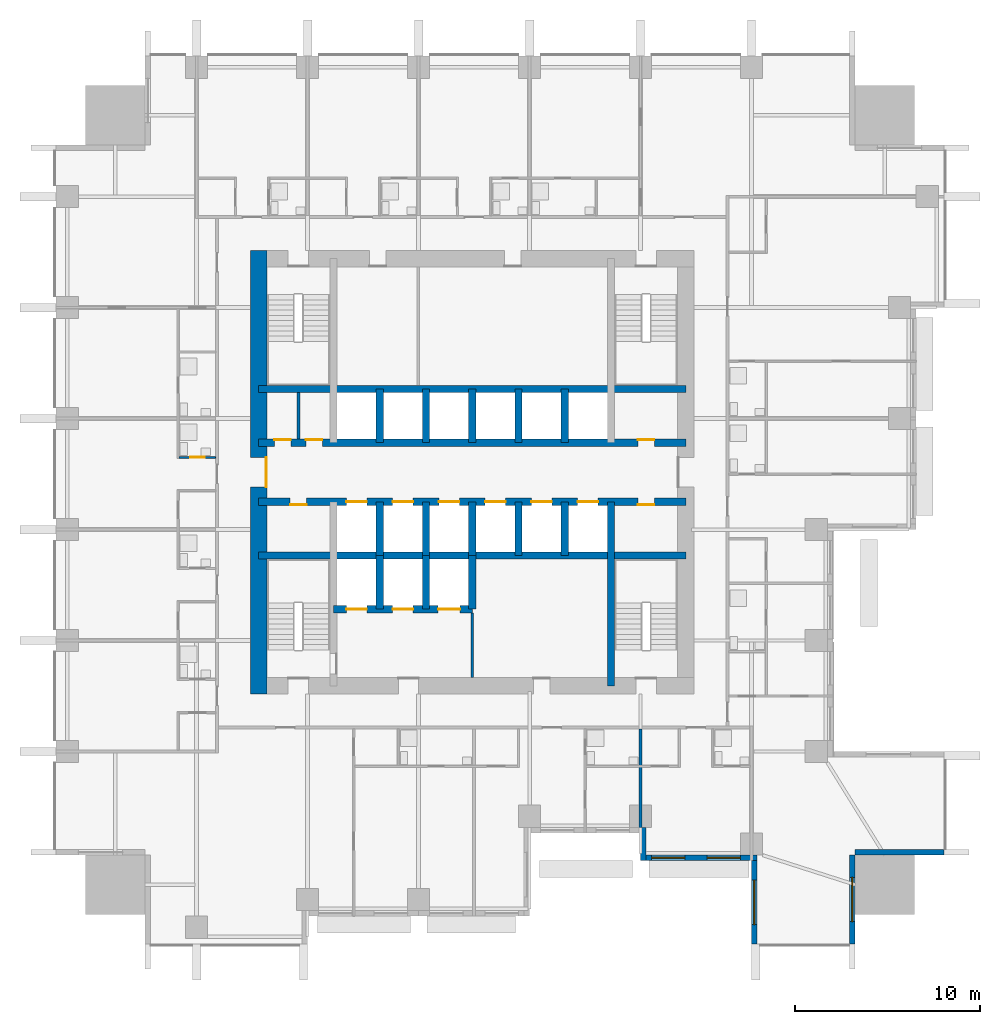
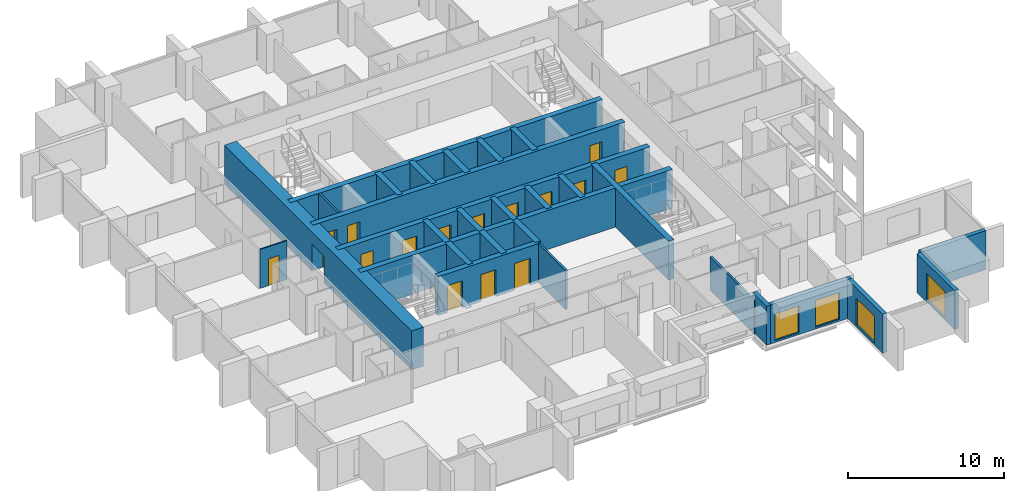
# One storey, part 5 of 10: 29 walls, 16 doors, 4 windows, 20 openings.
"""IFC4 building model written with IfcOpenShell, lengths in metres."""

import ifcopenshell
import ifcopenshell.guid

model = None  # the IFC model being written
_history = None  # IfcOwnerHistory: only IFC2X3 demands one
_inside = {}  # id of a spatial element -> (the spatial element, [elements in it])
_under = {}  # id of a project, library or spatial element -> (it, [spatial elements below it])
_declared = {}  # id of a project -> (the project, [libraries it declares])
_typed = {}  # id of a type object -> (the type object, [elements of that type])
_made_of = {}  # id of a material, layer set ... -> (it, [elements and type objects made of it])


def new_model(schema):
    """Start an empty IFC model of exactly this schema.

    Asked for "IFC4X3", IfcOpenShell would pick the latest addendum, in which some entities
    have other attributes; the version numbers below select the first issue.
    IFC2X3 requires an IfcOwnerHistory on every rooted entity: one is made here for all.
    """
    global model, _history
    if schema == "IFC4X3":
        model = ifcopenshell.file(schema_version=(4, 3, 0, 0))
    else:
        model = ifcopenshell.file(schema=schema)
    _inside.clear()
    _under.clear()
    _declared.clear()
    _typed.clear()
    _made_of.clear()
    _history = None
    if model.schema == "IFC2X3":
        org = make("IfcOrganization", Name="unknown")
        user = make(
            "IfcPersonAndOrganization",
            ThePerson=make("IfcPerson", FamilyName="unknown"),
            TheOrganization=org,
        )
        app = make(
            "IfcApplication",
            ApplicationDeveloper=org,
            Version="unknown",
            ApplicationFullName="unknown",
            ApplicationIdentifier="unknown",
        )
        _history = make(
            "IfcOwnerHistory",
            OwningUser=user,
            OwningApplication=app,
            ChangeAction="ADDED",
            CreationDate=0,
        )
    return model


def make(cls, **values):
    """One entity of the class cls with the attributes given. An attribute that is None is left unset."""
    return model.create_entity(
        cls, **{name: value for name, value in values.items() if value is not None}
    )


def rooted(cls, **values):
    """An entity with a GlobalId (a new one), such as an element, a storey or a relation."""
    return make(cls, GlobalId=ifcopenshell.guid.new(), OwnerHistory=_history, **values)


def si_unit(unit_type, name, prefix=None):
    """IfcSIUnit, for example si_unit("LENGTHUNIT", "METRE", prefix="MILLI")."""
    return make("IfcSIUnit", UnitType=unit_type, Prefix=prefix, Name=name)


def assignment(units):
    """IfcUnitAssignment: the units of a project."""
    return None if units is None else make("IfcUnitAssignment", Units=units)


def point(xyz):
    """IfcCartesianPoint."""
    return None if xyz is None else make("IfcCartesianPoint", Coordinates=xyz)


def direction(xyz):
    """IfcDirection."""
    return None if xyz is None else make("IfcDirection", DirectionRatios=xyz)


def frame(location, z_axis=None, x_axis=None):
    """IfcAxis2Placement3D, a coordinate frame: its origin and axes. An axis left out is left unset."""
    return make(
        "IfcAxis2Placement3D",
        Location=point(location),
        Axis=direction(z_axis),
        RefDirection=direction(x_axis),
    )


def frame_2d(location, x_axis=None):
    """IfcAxis2Placement2D, a coordinate frame in the plane: its origin and x axis."""
    return make(
        "IfcAxis2Placement2D", Location=point(location), RefDirection=direction(x_axis)
    )


def origin():
    """The frame at (0, 0, 0) with its axes left unset."""
    return frame((0.0, 0.0, 0.0))


def place(relative_to, where):
    """IfcLocalPlacement: puts the frame where relative to a parent placement (None: the world)."""
    return make(
        "IfcLocalPlacement", PlacementRelTo=relative_to, RelativePlacement=where
    )


def context(
    kind, dimensions, precision=None, world=None, true_north=None, identifier=None
):
    """IfcGeometricRepresentationContext, for example the 3D "Model" context."""
    return make(
        "IfcGeometricRepresentationContext",
        ContextIdentifier=identifier,
        ContextType=kind,
        CoordinateSpaceDimension=dimensions,
        Precision=precision,
        WorldCoordinateSystem=world,
        TrueNorth=true_north,
    )


def subcontext(parent, identifier, kind, view, scale=None):
    """IfcGeometricRepresentationSubContext, for example "Body" below "Model"."""
    return make(
        "IfcGeometricRepresentationSubContext",
        ContextIdentifier=identifier,
        ContextType=kind,
        ParentContext=parent,
        TargetScale=scale,
        TargetView=view,
    )


def project(units=None, contexts=None):
    """IfcProject with its units and contexts."""
    return rooted(
        "IfcProject",
        Name="project",
        RepresentationContexts=contexts,
        UnitsInContext=assignment(units),
    )


def spatial(cls, under=None, at=None, **own):
    """A site, building, storey or space (cls), placed at a placement, below another one or the project."""
    s = rooted(cls, ObjectPlacement=at, **own)
    if under is not None:
        _under.setdefault(under.id(), (under, []))[1].append(s)
    return s


def profile(cls, at=None, kind="AREA", **sizes):
    """A parametric profile (cls). Its sizes go by their IFC names, for example OverallWidth=200.0."""
    return make(cls, ProfileType=kind, Position=at, **sizes)


def rectangle(**sizes):
    """IfcRectangleProfileDef."""
    return profile("IfcRectangleProfileDef", **sizes)


def extrude(swept, where, along, depth):
    """IfcExtrudedAreaSolid: the profile swept, set in the frame where, extruded along a direction by depth."""
    return make(
        "IfcExtrudedAreaSolid",
        SweptArea=swept,
        Position=where,
        ExtrudedDirection=direction(along),
        Depth=depth,
    )


def shape(context_of_items, identifier, shape_type, items):
    """IfcShapeRepresentation: the items that make up one representation, for example the "Body"."""
    return make(
        "IfcShapeRepresentation",
        ContextOfItems=context_of_items,
        RepresentationIdentifier=identifier,
        RepresentationType=shape_type,
        Items=items,
    )


def material(Name=None, Category=None):
    """IfcMaterial."""
    return make("IfcMaterial", Name=Name, Category=Category)


def layer(
    of_material, thickness, ventilated=None, Name=None, Category=None, Priority=None
):
    """IfcMaterialLayer: one layer of a wall or slab, of a material (None: an air gap)."""
    return make(
        "IfcMaterialLayer",
        Material=of_material,
        LayerThickness=thickness,
        IsVentilated=ventilated,
        Name=Name,
        Category=Category,
        Priority=Priority,
    )


def layer_set(layers, Name=None):
    """IfcMaterialLayerSet."""
    return make("IfcMaterialLayerSet", MaterialLayers=layers, LayerSetName=Name)


def made_of(thing, what):
    """Note that an element or type object is made of a material, layer set ...; save() writes the relation."""
    if what is not None:
        _made_of.setdefault(what.id(), (what, []))[1].append(thing)
    return thing


def type_object(cls, material=None, **own):
    """A type object (cls), such as IfcWallType, which elements share."""
    return made_of(rooted(cls, **own), material)


def element(
    cls,
    number,
    at=None,
    inside=None,
    cuts=None,
    type_object=None,
    material=None,
    context=None,
    identifier="Body",
    shape_type=None,
    held_by="IfcProductDefinitionShape",
    body=None,
    shapes=None,
    **own,
):
    """One element of the class cls, such as IfcWall. Its Tag is "e" and its number.

    at: its placement. inside: the storey or other place that contains it. cuts: it is an
    opening in that element (IfcRelVoidsElement). A single representation is given by context,
    identifier, shape_type and body (its items); several are given by shapes. held_by: the class
    of the entity that holds the representations. save() writes the other relations.
    """
    e = rooted(cls, Tag="e%d" % number, ObjectPlacement=at, **own)
    if body is not None:
        shapes = [shape(context, identifier, shape_type, body)]
    if shapes is not None:
        e.Representation = make(held_by, Representations=shapes)
    if inside is not None:
        _inside.setdefault(inside.id(), (inside, []))[1].append(e)
    if cuts is not None:
        rooted(
            "IfcRelVoidsElement", RelatingBuildingElement=cuts, RelatedOpeningElement=e
        )
    if type_object is not None:
        _typed.setdefault(type_object.id(), (type_object, []))[1].append(e)
    return made_of(e, material)


def fill(opening, filler):
    """IfcRelFillsElement: the door or window that sits in an opening."""
    return rooted(
        "IfcRelFillsElement",
        RelatingOpeningElement=opening,
        RelatedBuildingElement=filler,
    )


def aggregate(whole, parts):
    """IfcRelAggregates: a whole, such as a stair, and the parts it consists of."""
    return rooted("IfcRelAggregates", RelatingObject=whole, RelatedObjects=parts)


def save(model, path):
    """Write the relations noted so far, then the file.

    IfcRelAggregates (storeys below a building ...), IfcRelContainedInSpatialStructure (elements
    in a storey), IfcRelDefinesByType, IfcRelAssociatesMaterial and IfcRelDeclares: one each for
    every whole, place, type object, material and project.
    """
    for whole, parts in _under.values():
        aggregate(whole, parts)
    for where, things in _inside.values():
        rooted(
            "IfcRelContainedInSpatialStructure",
            RelatedElements=things,
            RelatingStructure=where,
        )
    for kind, things in _typed.values():
        rooted("IfcRelDefinesByType", RelatedObjects=things, RelatingType=kind)
    for what, things in _made_of.values():
        rooted("IfcRelAssociatesMaterial", RelatedObjects=things, RelatingMaterial=what)
    for by, libraries in _declared.values():
        rooted("IfcRelDeclares", RelatingContext=by, RelatedDefinitions=libraries)
    model.write(path)


model = new_model("IFC4")

# Units and contexts
model_context = context("Model", 3, precision=1e-05, world=origin(), true_north=direction((0.0, 1.0)))
body_context = subcontext(model_context, "Body", "Model", "MODEL_VIEW")
ifc_project = project(units=[si_unit("LENGTHUNIT", "METRE"), si_unit("AREAUNIT", "SQUARE_METRE"), si_unit("VOLUMEUNIT", "CUBIC_METRE"), si_unit("PLANEANGLEUNIT", "RADIAN"), si_unit("MASSUNIT", "GRAM", prefix="KILO")], contexts=[model_context])

# Site, building, storey
site_placement = place(None, origin())
site = spatial("IfcSite", under=ifc_project, at=site_placement, CompositionType="ELEMENT")
building_placement = place(site_placement, origin())
building = spatial("IfcBuilding", under=site, at=building_placement, Name="Amberfall Residences", CompositionType="ELEMENT")
storey_placement = place(building_placement, frame((0.0, 0.0, 30.10009765625)))
storey = spatial("IfcBuildingStorey", under=building, at=storey_placement, Name="L07", CompositionType="ELEMENT", Elevation=30.10009765625)

# Wall
ifc_material_1 = material(Name="Pale stone cladding on insulated backing", Category="masonry")
ifc_layer_1 = layer(ifc_material_1, 0.300048828125)
ifc_layer_set_1 = layer_set([ifc_layer_1], Name="Bronze clad wall 300")
wall_type_1 = type_object("IfcWallType", Name="Bronze clad wall 300", PredefinedType="SOLIDWALL", material=ifc_layer_set_1)
wall_1_placement = place(storey_placement, frame((83.75, 26.300048828125, 0.0), z_axis=(0.0, 0.0, 1.0), x_axis=(0.0, -1.0, 0.0)))
element("IfcWall", 1, at=wall_1_placement, inside=storey, type_object=wall_type_1, Name="External wall L07 S", PredefinedType="SOLIDWALL", context=body_context, shape_type="SweptSolid", body=[
    extrude(rectangle(XDim=1.800048828125, YDim=0.300048828125, at=frame_2d((0.89990234375, 0.0))), origin(), (0.0, 0.0, 1.0), 3.0498046875),
])

# Wall, opening, window
wall_2_placement = place(storey_placement, frame((89.75, 24.5, 0.0), z_axis=(0.0, 0.0, 1.0), x_axis=(0.0, -1.0, 0.0)))
wall_2 = element("IfcWall", 2, at=wall_2_placement, inside=storey, type_object=wall_type_1, Name="External wall L07 S", PredefinedType="SOLIDWALL", context=body_context, shape_type="SweptSolid", body=[
    extrude(rectangle(XDim=4.5, YDim=0.300048828125, at=frame_2d((2.25, 0.0))), origin(), (0.0, 0.0, 1.0), 3.0498046875),
])
opening_1_placement = place(wall_2_placement, frame((1.050048828125, 0.0, 0.14990234375)))
opening_1 = element("IfcOpeningElement", 3, at=opening_1_placement, cuts=wall_2, Name="Opening WN5", PredefinedType="OPENING", context=body_context, shape_type="SweptSolid", body=[
    extrude(rectangle(XDim=2.39990234375, YDim=2.10009765625, at=frame_2d((1.199951171875, 1.050048828125))), frame((0.0, 0.159912109375, 0.0), z_axis=(0.0, -1.0, 0.0), x_axis=(1.0, 0.0, 0.0)), (0.0, 0.0, 1.0), 0.320068359375),
])
ifc_material_2 = material(Name="Bronze aluminium framed glazing", Category="aluminium")
window_type_1 = type_object("IfcWindowType", Name="Glazed opening 2400 x 2100 bronze", PartitioningType="DOUBLE_PANEL_VERTICAL", PredefinedType="WINDOW", material=ifc_material_2)
window_1_placement = place(opening_1_placement, origin())
window_1 = element("IfcWindow", 4, at=window_1_placement, inside=storey, type_object=window_type_1, Name="Window L07 S", OverallHeight=2.10009765625, OverallWidth=2.39990234375, PartitioningType="DOUBLE_PANEL_VERTICAL", PredefinedType="WINDOW", context=body_context, shape_type="SweptSolid", body=[
    extrude(rectangle(XDim=2.39990234375, YDim=2.10009765625, at=frame_2d((1.199951171875, 1.050048828125))), frame((0.0, 0.030029296875, 0.0), z_axis=(0.0, -1.0, 0.0), x_axis=(1.0, 0.0, 0.0)), (0.0, 0.0, 1.0), 0.06005859375),
])
fill(opening_1, window_1)

wall_3_placement = place(storey_placement, frame((95.050048828125, 20.0, 0.0), z_axis=(0.0, 0.0, 1.0), x_axis=(0.0, 1.0, 0.0)))
wall_3 = element("IfcWall", 5, at=wall_3_placement, inside=storey, type_object=wall_type_1, Name="External wall L07 SE", PredefinedType="SOLIDWALL", context=body_context, shape_type="SweptSolid", body=[
    extrude(rectangle(XDim=4.800048828125, YDim=0.300048828125, at=frame_2d((2.39990234375, 0.0))), origin(), (0.0, 0.0, 1.0), 3.0498046875),
])
opening_2_placement = place(wall_3_placement, frame((1.199951171875, 0.0, 0.14990234375)))
opening_2 = element("IfcOpeningElement", 6, at=opening_2_placement, cuts=wall_3, Name="Opening WN5", PredefinedType="OPENING", context=body_context, shape_type="SweptSolid", body=[
    extrude(rectangle(XDim=2.39990234375, YDim=2.10009765625, at=frame_2d((1.199951171875, 1.050048828125))), frame((0.0, 0.159912109375, 0.0), z_axis=(0.0, -1.0, 0.0), x_axis=(1.0, 0.0, 0.0)), (0.0, 0.0, 1.0), 0.320068359375),
])
window_2_placement = place(opening_2_placement, origin())
window_2 = element("IfcWindow", 7, at=window_2_placement, inside=storey, type_object=window_type_1, Name="Window L07 SE", OverallHeight=2.10009765625, OverallWidth=2.39990234375, PartitioningType="DOUBLE_PANEL_VERTICAL", PredefinedType="WINDOW", context=body_context, shape_type="SweptSolid", body=[
    extrude(rectangle(XDim=2.39990234375, YDim=2.10009765625, at=frame_2d((1.199951171875, 1.050048828125))), frame((0.0, 0.030029296875, 0.0), z_axis=(0.0, -1.0, 0.0), x_axis=(1.0, 0.0, 0.0)), (0.0, 0.0, 1.0), 0.06005859375),
])
fill(opening_2, window_2)

# Wall
wall_4_placement = place(storey_placement, frame((95.199951171875, 24.949951171875, 0.0), z_axis=(0.0, 0.0, 1.0), x_axis=(1.0, 0.0, 0.0)))
element("IfcWall", 8, at=wall_4_placement, inside=storey, type_object=wall_type_1, Name="External wall L07 SE", PredefinedType="SOLIDWALL", context=body_context, shape_type="SweptSolid", body=[
    extrude(rectangle(XDim=4.800048828125, YDim=0.300048828125, at=frame_2d((2.39990234375, 0.0))), origin(), (0.0, 0.0, 1.0), 3.0498046875),
])

# Wall, openings, windows
wall_5_placement = place(storey_placement, frame((83.89990234375, 24.64990234375, 0.0), z_axis=(0.0, 0.0, 1.0), x_axis=(1.0, 0.0, 0.0)))
wall_5 = element("IfcWall", 9, at=wall_5_placement, inside=storey, type_object=wall_type_1, Name="Stone wall L07 S", PredefinedType="SOLIDWALL", context=body_context, shape_type="SweptSolid", body=[
    extrude(rectangle(XDim=6.0, YDim=0.300048828125, at=frame_2d((3.0, 0.0))), origin(), (0.0, 0.0, 1.0), 3.0498046875),
])
opening_3_placement = place(wall_5_placement, frame((0.300048828125, 0.0, 0.14990234375)))
opening_3 = element("IfcOpeningElement", 10, at=opening_3_placement, cuts=wall_5, Name="Opening WN6", PredefinedType="OPENING", context=body_context, shape_type="SweptSolid", body=[
    extrude(rectangle(XDim=1.800048828125, YDim=2.10009765625, at=frame_2d((0.89990234375, 1.050048828125))), frame((0.0, 0.159912109375, 0.0), z_axis=(0.0, -1.0, 0.0), x_axis=(1.0, 0.0, 0.0)), (0.0, 0.0, 1.0), 0.320068359375),
])
opening_4_placement = place(wall_5_placement, frame((3.300048828125, 0.0, 0.14990234375)))
opening_4 = element("IfcOpeningElement", 11, at=opening_4_placement, cuts=wall_5, Name="Opening WN6", PredefinedType="OPENING", context=body_context, shape_type="SweptSolid", body=[
    extrude(rectangle(XDim=1.800048828125, YDim=2.10009765625, at=frame_2d((0.89990234375, 1.050048828125))), frame((0.0, 0.159912109375, 0.0), z_axis=(0.0, -1.0, 0.0), x_axis=(1.0, 0.0, 0.0)), (0.0, 0.0, 1.0), 0.320068359375),
])
window_type_2 = type_object("IfcWindowType", Name="Glazed opening 1800 x 2100 bronze", PartitioningType="DOUBLE_PANEL_VERTICAL", PredefinedType="WINDOW", material=ifc_material_2)
window_3_placement = place(opening_3_placement, origin())
window_3 = element("IfcWindow", 12, at=window_3_placement, inside=storey, type_object=window_type_2, Name="Window L07 S", OverallHeight=2.10009765625, OverallWidth=1.800048828125, PartitioningType="DOUBLE_PANEL_VERTICAL", PredefinedType="WINDOW", context=body_context, shape_type="SweptSolid", body=[
    extrude(rectangle(XDim=1.800048828125, YDim=2.10009765625, at=frame_2d((0.89990234375, 1.050048828125))), frame((0.0, 0.030029296875, 0.0), z_axis=(0.0, -1.0, 0.0), x_axis=(1.0, 0.0, 0.0)), (0.0, 0.0, 1.0), 0.06005859375),
])
fill(opening_3, window_3)
window_4_placement = place(opening_4_placement, origin())
window_4 = element("IfcWindow", 13, at=window_4_placement, inside=storey, type_object=window_type_2, Name="Window L07 S", OverallHeight=2.10009765625, OverallWidth=1.800048828125, PartitioningType="DOUBLE_PANEL_VERTICAL", PredefinedType="WINDOW", context=body_context, shape_type="SweptSolid", body=[
    extrude(rectangle(XDim=1.800048828125, YDim=2.10009765625, at=frame_2d((0.89990234375, 1.050048828125))), frame((0.0, 0.030029296875, 0.0), z_axis=(0.0, -1.0, 0.0), x_axis=(1.0, 0.0, 0.0)), (0.0, 0.0, 1.0), 0.06005859375),
])
fill(opening_4, window_4)

# Wall
ifc_material_3 = material(Name="Concrete C80", Category="concrete")
ifc_layer_2 = layer(ifc_material_3, 0.39990234375)
ifc_layer_set_2 = layer_set([ifc_layer_2], Name="Core wall 400 C80")
wall_type_2 = type_object("IfcWallType", Name="Core wall 400 C80", PredefinedType="SHEAR", material=ifc_layer_set_2)
wall_6_placement = place(storey_placement, frame((62.949951171875, 41.0, 0.0), z_axis=(0.0, 0.0, 1.0), x_axis=(1.0, 0.0, 0.0)))
element("IfcWall", 14, at=wall_6_placement, inside=storey, type_object=wall_type_2, Name="Core wall RW2 L07 H75", PredefinedType="SHEAR", context=body_context, shape_type="SweptSolid", body=[
    extrude(rectangle(XDim=23.10009765625, YDim=0.39990234375, at=frame_2d((11.550048828125, 0.0))), origin(), (0.0, 0.0, 1.0), 3.0498046875),
])

# Wall, openings, doors
wall_7_placement = place(storey_placement, frame((62.949951171875, 43.89990234375, 0.0), z_axis=(0.0, 0.0, 1.0), x_axis=(1.0, 0.0, 0.0)))
wall_7 = element("IfcWall", 15, at=wall_7_placement, inside=storey, type_object=wall_type_2, Name="Core wall RW2 L07 H104", PredefinedType="SHEAR", context=body_context, shape_type="SweptSolid", body=[
    extrude(rectangle(XDim=23.10009765625, YDim=0.39990234375, at=frame_2d((11.550048828125, 0.0))), origin(), (0.0, 0.0, 1.0), 3.0498046875),
])
opening_5_placement = place(wall_7_placement, frame((1.699951171875, 0.0, 0.0)))
opening_5 = element("IfcOpeningElement", 16, at=opening_5_placement, cuts=wall_7, Name="Opening RD1", PredefinedType="OPENING", context=body_context, shape_type="SweptSolid", body=[
    extrude(rectangle(XDim=0.89990234375, YDim=2.10009765625, at=frame_2d((0.449951171875, 1.050048828125))), frame((0.0, 0.2099609375, 0.0), z_axis=(0.0, -1.0, 0.0), x_axis=(1.0, 0.0, 0.0)), (0.0, 0.0, 1.0), 0.419921875),
])
opening_6_placement = place(wall_7_placement, frame((20.5, 0.0, 0.0)))
opening_6 = element("IfcOpeningElement", 17, at=opening_6_placement, cuts=wall_7, Name="Opening RD1", PredefinedType="OPENING", context=body_context, shape_type="SweptSolid", body=[
    extrude(rectangle(XDim=0.89990234375, YDim=2.10009765625, at=frame_2d((0.449951171875, 1.050048828125))), frame((0.0, 0.2099609375, 0.0), z_axis=(0.0, -1.0, 0.0), x_axis=(1.0, 0.0, 0.0)), (0.0, 0.0, 1.0), 0.419921875),
])
opening_7_placement = place(wall_7_placement, frame((4.75, 0.0, 0.0)))
opening_7 = element("IfcOpeningElement", 18, at=opening_7_placement, cuts=wall_7, Name="Opening LD1", PredefinedType="OPENING", context=body_context, shape_type="SweptSolid", body=[
    extrude(rectangle(XDim=1.10009765625, YDim=2.10009765625, at=frame_2d((0.550048828125, 1.050048828125))), frame((0.0, 0.2099609375, 0.0), z_axis=(0.0, -1.0, 0.0), x_axis=(1.0, 0.0, 0.0)), (0.0, 0.0, 1.0), 0.419921875),
])
opening_8_placement = place(wall_7_placement, frame((7.25, 0.0, 0.0)))
opening_8 = element("IfcOpeningElement", 19, at=opening_8_placement, cuts=wall_7, Name="Opening LD1", PredefinedType="OPENING", context=body_context, shape_type="SweptSolid", body=[
    extrude(rectangle(XDim=1.10009765625, YDim=2.10009765625, at=frame_2d((0.550048828125, 1.050048828125))), frame((0.0, 0.2099609375, 0.0), z_axis=(0.0, -1.0, 0.0), x_axis=(1.0, 0.0, 0.0)), (0.0, 0.0, 1.0), 0.419921875),
])
opening_9_placement = place(wall_7_placement, frame((9.75, 0.0, 0.0)))
opening_9 = element("IfcOpeningElement", 20, at=opening_9_placement, cuts=wall_7, Name="Opening LD1", PredefinedType="OPENING", context=body_context, shape_type="SweptSolid", body=[
    extrude(rectangle(XDim=1.10009765625, YDim=2.10009765625, at=frame_2d((0.550048828125, 1.050048828125))), frame((0.0, 0.2099609375, 0.0), z_axis=(0.0, -1.0, 0.0), x_axis=(1.0, 0.0, 0.0)), (0.0, 0.0, 1.0), 0.419921875),
])
opening_10_placement = place(wall_7_placement, frame((12.25, 0.0, 0.0)))
opening_10 = element("IfcOpeningElement", 21, at=opening_10_placement, cuts=wall_7, Name="Opening LD1", PredefinedType="OPENING", context=body_context, shape_type="SweptSolid", body=[
    extrude(rectangle(XDim=1.10009765625, YDim=2.10009765625, at=frame_2d((0.550048828125, 1.050048828125))), frame((0.0, 0.2099609375, 0.0), z_axis=(0.0, -1.0, 0.0), x_axis=(1.0, 0.0, 0.0)), (0.0, 0.0, 1.0), 0.419921875),
])
opening_11_placement = place(wall_7_placement, frame((14.75, 0.0, 0.0)))
opening_11 = element("IfcOpeningElement", 22, at=opening_11_placement, cuts=wall_7, Name="Opening LD1", PredefinedType="OPENING", context=body_context, shape_type="SweptSolid", body=[
    extrude(rectangle(XDim=1.10009765625, YDim=2.10009765625, at=frame_2d((0.550048828125, 1.050048828125))), frame((0.0, 0.2099609375, 0.0), z_axis=(0.0, -1.0, 0.0), x_axis=(1.0, 0.0, 0.0)), (0.0, 0.0, 1.0), 0.419921875),
])
opening_12_placement = place(wall_7_placement, frame((17.25, 0.0, 0.0)))
opening_12 = element("IfcOpeningElement", 23, at=opening_12_placement, cuts=wall_7, Name="Opening LD1", PredefinedType="OPENING", context=body_context, shape_type="SweptSolid", body=[
    extrude(rectangle(XDim=1.10009765625, YDim=2.10009765625, at=frame_2d((0.550048828125, 1.050048828125))), frame((0.0, 0.2099609375, 0.0), z_axis=(0.0, -1.0, 0.0), x_axis=(1.0, 0.0, 0.0)), (0.0, 0.0, 1.0), 0.419921875),
])
ifc_material_4 = material(Name="Steel fire door set", Category="steel")
door_type_1 = type_object("IfcDoorType", Name="Lift landing door 1100 x 2100", OperationType="DOUBLE_DOOR_SLIDING", PredefinedType="DOOR", material=ifc_material_4)
door_1_placement = place(opening_7_placement, origin())
door_1 = element("IfcDoor", 24, at=door_1_placement, inside=storey, type_object=door_type_1, Name="Landing door LP1 L07", OperationType="DOUBLE_DOOR_SLIDING", OverallHeight=2.10009765625, OverallWidth=1.10009765625, PredefinedType="DOOR", context=body_context, shape_type="SweptSolid", body=[
    extrude(rectangle(XDim=1.10009765625, YDim=2.10009765625, at=frame_2d((0.550048828125, 1.050048828125))), frame((0.0, 0.02490234375, 0.0), z_axis=(0.0, -1.0, 0.0), x_axis=(1.0, 0.0, 0.0)), (0.0, 0.0, 1.0), 0.050048828125),
])
fill(opening_7, door_1)
door_2_placement = place(opening_8_placement, origin())
door_2 = element("IfcDoor", 25, at=door_2_placement, inside=storey, type_object=door_type_1, Name="Landing door LP2 L07", OperationType="DOUBLE_DOOR_SLIDING", OverallHeight=2.10009765625, OverallWidth=1.10009765625, PredefinedType="DOOR", context=body_context, shape_type="SweptSolid", body=[
    extrude(rectangle(XDim=1.10009765625, YDim=2.10009765625, at=frame_2d((0.550048828125, 1.050048828125))), frame((0.0, 0.02490234375, 0.0), z_axis=(0.0, -1.0, 0.0), x_axis=(1.0, 0.0, 0.0)), (0.0, 0.0, 1.0), 0.050048828125),
])
fill(opening_8, door_2)
door_3_placement = place(opening_9_placement, origin())
door_3 = element("IfcDoor", 26, at=door_3_placement, inside=storey, type_object=door_type_1, Name="Landing door LP3 L07", OperationType="DOUBLE_DOOR_SLIDING", OverallHeight=2.10009765625, OverallWidth=1.10009765625, PredefinedType="DOOR", context=body_context, shape_type="SweptSolid", body=[
    extrude(rectangle(XDim=1.10009765625, YDim=2.10009765625, at=frame_2d((0.550048828125, 1.050048828125))), frame((0.0, 0.02490234375, 0.0), z_axis=(0.0, -1.0, 0.0), x_axis=(1.0, 0.0, 0.0)), (0.0, 0.0, 1.0), 0.050048828125),
])
fill(opening_9, door_3)
door_4_placement = place(opening_10_placement, origin())
door_4 = element("IfcDoor", 27, at=door_4_placement, inside=storey, type_object=door_type_1, Name="Landing door LP4 L07", OperationType="DOUBLE_DOOR_SLIDING", OverallHeight=2.10009765625, OverallWidth=1.10009765625, PredefinedType="DOOR", context=body_context, shape_type="SweptSolid", body=[
    extrude(rectangle(XDim=1.10009765625, YDim=2.10009765625, at=frame_2d((0.550048828125, 1.050048828125))), frame((0.0, 0.02490234375, 0.0), z_axis=(0.0, -1.0, 0.0), x_axis=(1.0, 0.0, 0.0)), (0.0, 0.0, 1.0), 0.050048828125),
])
fill(opening_10, door_4)
door_5_placement = place(opening_11_placement, origin())
door_5 = element("IfcDoor", 28, at=door_5_placement, inside=storey, type_object=door_type_1, Name="Landing door LP5 L07", OperationType="DOUBLE_DOOR_SLIDING", OverallHeight=2.10009765625, OverallWidth=1.10009765625, PredefinedType="DOOR", context=body_context, shape_type="SweptSolid", body=[
    extrude(rectangle(XDim=1.10009765625, YDim=2.10009765625, at=frame_2d((0.550048828125, 1.050048828125))), frame((0.0, 0.02490234375, 0.0), z_axis=(0.0, -1.0, 0.0), x_axis=(1.0, 0.0, 0.0)), (0.0, 0.0, 1.0), 0.050048828125),
])
fill(opening_11, door_5)
door_6_placement = place(opening_12_placement, origin())
door_6 = element("IfcDoor", 29, at=door_6_placement, inside=storey, type_object=door_type_1, Name="Landing door LP6 L07", OperationType="DOUBLE_DOOR_SLIDING", OverallHeight=2.10009765625, OverallWidth=1.10009765625, PredefinedType="DOOR", context=body_context, shape_type="SweptSolid", body=[
    extrude(rectangle(XDim=1.10009765625, YDim=2.10009765625, at=frame_2d((0.550048828125, 1.050048828125))), frame((0.0, 0.02490234375, 0.0), z_axis=(0.0, -1.0, 0.0), x_axis=(1.0, 0.0, 0.0)), (0.0, 0.0, 1.0), 0.050048828125),
])
fill(opening_12, door_6)
door_type_2 = type_object("IfcDoorType", Name="Service room door 900 x 2100", OperationType="SINGLE_SWING_LEFT", PredefinedType="DOOR", material=ifc_material_4)
door_7_placement = place(opening_5_placement, origin())
door_7 = element("IfcDoor", 30, at=door_7_placement, inside=storey, type_object=door_type_2, Name="RD1 L07", OperationType="SINGLE_SWING_LEFT", OverallHeight=2.10009765625, OverallWidth=0.89990234375, PredefinedType="DOOR", context=body_context, shape_type="SweptSolid", body=[
    extrude(rectangle(XDim=0.89990234375, YDim=2.10009765625, at=frame_2d((0.449951171875, 1.050048828125))), frame((0.0, -0.1376953125, 0.0), z_axis=(0.0, -1.0, 0.0), x_axis=(1.0, 0.0, 0.0)), (0.0, 0.0, 1.0), 0.050048828125),
])
fill(opening_5, door_7)
door_8_placement = place(opening_6_placement, origin())
door_8 = element("IfcDoor", 31, at=door_8_placement, inside=storey, type_object=door_type_2, Name="RD1 L07", OperationType="SINGLE_SWING_LEFT", OverallHeight=2.10009765625, OverallWidth=0.89990234375, PredefinedType="DOOR", context=body_context, shape_type="SweptSolid", body=[
    extrude(rectangle(XDim=0.89990234375, YDim=2.10009765625, at=frame_2d((0.449951171875, 1.050048828125))), frame((0.0, -0.1376953125, 0.0), z_axis=(0.0, -1.0, 0.0), x_axis=(1.0, 0.0, 0.0)), (0.0, 0.0, 1.0), 0.050048828125),
])
fill(opening_6, door_8)

wall_8_placement = place(storey_placement, frame((62.949951171875, 47.10009765625, 0.0), z_axis=(0.0, 0.0, 1.0), x_axis=(1.0, 0.0, 0.0)))
wall_8 = element("IfcWall", 32, at=wall_8_placement, inside=storey, type_object=wall_type_2, Name="Core wall RW2 L07 H136", PredefinedType="SHEAR", context=body_context, shape_type="SweptSolid", body=[
    extrude(rectangle(XDim=23.10009765625, YDim=0.39990234375, at=frame_2d((11.550048828125, 0.0))), origin(), (0.0, 0.0, 1.0), 3.0498046875),
])
opening_13_placement = place(wall_8_placement, frame((0.85009765625, 0.0, 0.0)))
opening_13 = element("IfcOpeningElement", 33, at=opening_13_placement, cuts=wall_8, Name="Opening RD1", PredefinedType="OPENING", context=body_context, shape_type="SweptSolid", body=[
    extrude(rectangle(XDim=0.89990234375, YDim=2.10009765625, at=frame_2d((0.449951171875, 1.050048828125))), frame((0.0, 0.2099609375, 0.0), z_axis=(0.0, -1.0, 0.0), x_axis=(1.0, 0.0, 0.0)), (0.0, 0.0, 1.0), 0.419921875),
])
opening_14_placement = place(wall_8_placement, frame((2.550048828125, 0.0, 0.0)))
opening_14 = element("IfcOpeningElement", 34, at=opening_14_placement, cuts=wall_8, Name="Opening RD1", PredefinedType="OPENING", context=body_context, shape_type="SweptSolid", body=[
    extrude(rectangle(XDim=0.89990234375, YDim=2.10009765625, at=frame_2d((0.449951171875, 1.050048828125))), frame((0.0, 0.2099609375, 0.0), z_axis=(0.0, -1.0, 0.0), x_axis=(1.0, 0.0, 0.0)), (0.0, 0.0, 1.0), 0.419921875),
])
opening_15_placement = place(wall_8_placement, frame((20.5, 0.0, 0.0)))
opening_15 = element("IfcOpeningElement", 35, at=opening_15_placement, cuts=wall_8, Name="Opening RD1", PredefinedType="OPENING", context=body_context, shape_type="SweptSolid", body=[
    extrude(rectangle(XDim=0.89990234375, YDim=2.10009765625, at=frame_2d((0.449951171875, 1.050048828125))), frame((0.0, 0.2099609375, 0.0), z_axis=(0.0, -1.0, 0.0), x_axis=(1.0, 0.0, 0.0)), (0.0, 0.0, 1.0), 0.419921875),
])
door_9_placement = place(opening_13_placement, origin())
door_9 = element("IfcDoor", 36, at=door_9_placement, inside=storey, type_object=door_type_2, Name="RD1 L07", OperationType="SINGLE_SWING_LEFT", OverallHeight=2.10009765625, OverallWidth=0.89990234375, PredefinedType="DOOR", context=body_context, shape_type="SweptSolid", body=[
    extrude(rectangle(XDim=0.89990234375, YDim=2.10009765625, at=frame_2d((0.449951171875, 1.050048828125))), frame((0.0, 0.1875, 0.0), z_axis=(0.0, -1.0, 0.0), x_axis=(1.0, 0.0, 0.0)), (0.0, 0.0, 1.0), 0.050048828125),
])
fill(opening_13, door_9)
door_10_placement = place(opening_14_placement, origin())
door_10 = element("IfcDoor", 37, at=door_10_placement, inside=storey, type_object=door_type_2, Name="RD1 L07", OperationType="SINGLE_SWING_RIGHT", OverallHeight=2.10009765625, OverallWidth=0.89990234375, PredefinedType="DOOR", context=body_context, shape_type="SweptSolid", body=[
    extrude(rectangle(XDim=0.89990234375, YDim=2.10009765625, at=frame_2d((0.449951171875, 1.050048828125))), frame((0.0, 0.1875, 0.0), z_axis=(0.0, -1.0, 0.0), x_axis=(1.0, 0.0, 0.0)), (0.0, 0.0, 1.0), 0.050048828125),
])
fill(opening_14, door_10)
door_11_placement = place(opening_15_placement, origin())
door_11 = element("IfcDoor", 38, at=door_11_placement, inside=storey, type_object=door_type_2, Name="RD1 L07", OperationType="SINGLE_SWING_LEFT", OverallHeight=2.10009765625, OverallWidth=0.89990234375, PredefinedType="DOOR", context=body_context, shape_type="SweptSolid", body=[
    extrude(rectangle(XDim=0.89990234375, YDim=2.10009765625, at=frame_2d((0.449951171875, 1.050048828125))), frame((0.0, 0.1875, 0.0), z_axis=(0.0, -1.0, 0.0), x_axis=(1.0, 0.0, 0.0)), (0.0, 0.0, 1.0), 0.050048828125),
])
fill(opening_15, door_11)

# Walls
wall_9_placement = place(storey_placement, frame((62.949951171875, 50.0, 0.0), z_axis=(0.0, 0.0, 1.0), x_axis=(1.0, 0.0, 0.0)))
element("IfcWall", 39, at=wall_9_placement, inside=storey, type_object=wall_type_2, Name="Core wall RW2 L07 H165", PredefinedType="SHEAR", context=body_context, shape_type="SweptSolid", body=[
    extrude(rectangle(XDim=23.10009765625, YDim=0.39990234375, at=frame_2d((11.550048828125, 0.0))), origin(), (0.0, 0.0, 1.0), 3.0498046875),
])
wall_10_placement = place(storey_placement, frame((82.0, 33.949951171875, 0.0), z_axis=(0.0, 0.0, 1.0), x_axis=(0.0, 1.0, 0.0)))
element("IfcWall", 40, at=wall_10_placement, inside=storey, type_object=wall_type_2, Name="Core wall RW2 L07 V195S", PredefinedType="SHEAR", context=body_context, shape_type="SweptSolid", body=[
    extrude(rectangle(XDim=9.949951171875, YDim=0.39990234375, at=frame_2d((4.97509765625, 0.0))), origin(), (0.0, 0.0, 1.0), 3.0498046875),
])
for number, where, z_axis, x_axis, name in (
    (41, (69.5, 41.0, 0.0), (0.0, 0.0, 1.0), (0.0, 1.0, 0.0), "Core wall RW2 L07 LPD1"),
    (42, (69.5, 47.10009765625, 0.0), (0.0, 0.0, 1.0), (0.0, 1.0, 0.0), "Core wall RW2 L07 HPD1"),
    (43, (72.0, 41.0, 0.0), (0.0, 0.0, 1.0), (0.0, 1.0, 0.0), "Core wall RW2 L07 LPD2"),
    (44, (72.0, 47.10009765625, 0.0), (0.0, 0.0, 1.0), (0.0, 1.0, 0.0), "Core wall RW2 L07 HPD2"),
    (45, (74.5, 41.0, 0.0), (0.0, 0.0, 1.0), (0.0, 1.0, 0.0), "Core wall RW2 L07 LPD3"),
    (46, (74.5, 47.10009765625, 0.0), (0.0, 0.0, 1.0), (0.0, 1.0, 0.0), "Core wall RW2 L07 HPD3"),
    (47, (77.0, 41.0, 0.0), (0.0, 0.0, 1.0), (0.0, 1.0, 0.0), "Core wall RW2 L07 LPD4"),
    (48, (77.0, 47.10009765625, 0.0), (0.0, 0.0, 1.0), (0.0, 1.0, 0.0), "Core wall RW2 L07 HPD4"),
    (49, (79.5, 41.0, 0.0), (0.0, 0.0, 1.0), (0.0, 1.0, 0.0), "Core wall RW2 L07 LPD5"),
    (50, (79.5, 47.10009765625, 0.0), (0.0, 0.0, 1.0), (0.0, 1.0, 0.0), "Core wall RW2 L07 HPD5"),
):
    element("IfcWall", number, at=place(storey_placement, frame(where, z_axis=z_axis, x_axis=x_axis)), inside=storey, type_object=wall_type_2, Name=name, PredefinedType="SHEAR", context=body_context, shape_type="SweptSolid", body=[
        extrude(rectangle(XDim=2.89990234375, YDim=0.39990234375, at=frame_2d((1.449951171875, 0.0))), origin(), (0.0, 0.0, 1.0), 3.0498046875),
    ])

# Wall, openings, doors
wall_11_placement = place(storey_placement, frame((67.0, 38.10009765625, 0.0), z_axis=(0.0, 0.0, 1.0), x_axis=(1.0, 0.0, 0.0)))
wall_11 = element("IfcWall", 51, at=wall_11_placement, inside=storey, type_object=wall_type_2, Name="Core wall RW2 L07 FFF", PredefinedType="SHEAR", context=body_context, shape_type="SweptSolid", body=[
    extrude(rectangle(XDim=7.5, YDim=0.39990234375, at=frame_2d((3.75, 0.0))), origin(), (0.0, 0.0, 1.0), 3.0498046875),
])
opening_16_placement = place(wall_11_placement, frame((0.699951171875, 0.0, 0.0)))
opening_16 = element("IfcOpeningElement", 52, at=opening_16_placement, cuts=wall_11, Name="Opening LD2", PredefinedType="OPENING", context=body_context, shape_type="SweptSolid", body=[
    extrude(rectangle(XDim=1.10009765625, YDim=2.10009765625, at=frame_2d((0.550048828125, 1.050048828125))), frame((0.0, 0.2099609375, 0.0), z_axis=(0.0, -1.0, 0.0), x_axis=(1.0, 0.0, 0.0)), (0.0, 0.0, 1.0), 0.419921875),
])
opening_17_placement = place(wall_11_placement, frame((3.199951171875, 0.0, 0.0)))
opening_17 = element("IfcOpeningElement", 53, at=opening_17_placement, cuts=wall_11, Name="Opening LD2", PredefinedType="OPENING", context=body_context, shape_type="SweptSolid", body=[
    extrude(rectangle(XDim=1.10009765625, YDim=2.10009765625, at=frame_2d((0.550048828125, 1.050048828125))), frame((0.0, 0.2099609375, 0.0), z_axis=(0.0, -1.0, 0.0), x_axis=(1.0, 0.0, 0.0)), (0.0, 0.0, 1.0), 0.419921875),
])
opening_18_placement = place(wall_11_placement, frame((5.64990234375, 0.0, 0.0)))
opening_18 = element("IfcOpeningElement", 54, at=opening_18_placement, cuts=wall_11, Name="Opening LD3", PredefinedType="OPENING", context=body_context, shape_type="SweptSolid", body=[
    extrude(rectangle(XDim=1.199951171875, YDim=2.10009765625, at=frame_2d((0.60009765625, 1.050048828125))), frame((0.0, 0.2099609375, 0.0), z_axis=(0.0, -1.0, 0.0), x_axis=(1.0, 0.0, 0.0)), (0.0, 0.0, 1.0), 0.419921875),
])
door_type_3 = type_object("IfcDoorType", Name="Firefighting lift landing door 1100 x 2100", OperationType="DOUBLE_DOOR_SLIDING", PredefinedType="DOOR", material=ifc_material_4)
door_12_placement = place(opening_16_placement, origin())
door_12 = element("IfcDoor", 55, at=door_12_placement, inside=storey, type_object=door_type_3, Name="Landing door FF1 L07", OperationType="DOUBLE_DOOR_SLIDING", OverallHeight=2.10009765625, OverallWidth=1.10009765625, PredefinedType="DOOR", context=body_context, shape_type="SweptSolid", body=[
    extrude(rectangle(XDim=1.10009765625, YDim=2.10009765625, at=frame_2d((0.550048828125, 1.050048828125))), frame((0.0, 0.02490234375, 0.0), z_axis=(0.0, -1.0, 0.0), x_axis=(1.0, 0.0, 0.0)), (0.0, 0.0, 1.0), 0.050048828125),
])
fill(opening_16, door_12)
door_13_placement = place(opening_17_placement, origin())
door_13 = element("IfcDoor", 56, at=door_13_placement, inside=storey, type_object=door_type_3, Name="Landing door FF2 L07", OperationType="DOUBLE_DOOR_SLIDING", OverallHeight=2.10009765625, OverallWidth=1.10009765625, PredefinedType="DOOR", context=body_context, shape_type="SweptSolid", body=[
    extrude(rectangle(XDim=1.10009765625, YDim=2.10009765625, at=frame_2d((0.550048828125, 1.050048828125))), frame((0.0, 0.02490234375, 0.0), z_axis=(0.0, -1.0, 0.0), x_axis=(1.0, 0.0, 0.0)), (0.0, 0.0, 1.0), 0.050048828125),
])
fill(opening_17, door_13)
door_type_4 = type_object("IfcDoorType", Name="Service lift landing door 1200 x 2100", OperationType="DOUBLE_DOOR_SLIDING", PredefinedType="DOOR", material=ifc_material_4)
door_14_placement = place(opening_18_placement, origin())
door_14 = element("IfcDoor", 57, at=door_14_placement, inside=storey, type_object=door_type_4, Name="Landing door SL1 L07", OperationType="DOUBLE_DOOR_SLIDING", OverallHeight=2.10009765625, OverallWidth=1.199951171875, PredefinedType="DOOR", context=body_context, shape_type="SweptSolid", body=[
    extrude(rectangle(XDim=1.199951171875, YDim=2.10009765625, at=frame_2d((0.60009765625, 1.050048828125))), frame((0.0, 0.02490234375, 0.0), z_axis=(0.0, -1.0, 0.0), x_axis=(1.0, 0.0, 0.0)), (0.0, 0.0, 1.0), 0.050048828125),
])
fill(opening_18, door_14)

# Walls
for number, where, z_axis, x_axis, name in (
    (58, (69.5, 38.10009765625, 0.0), (0.0, 0.0, 1.0), (0.0, 1.0, 0.0), "Core wall RW2 L07 FFD1"),
    (59, (72.0, 38.10009765625, 0.0), (0.0, 0.0, 1.0), (0.0, 1.0, 0.0), "Core wall RW2 L07 FFD2"),
    (60, (74.5, 38.10009765625, 0.0), (0.0, 0.0, 1.0), (0.0, 1.0, 0.0), "Core wall RW2 L07 FFD3"),
):
    element("IfcWall", number, at=place(storey_placement, frame(where, z_axis=z_axis, x_axis=x_axis)), inside=storey, type_object=wall_type_2, Name=name, PredefinedType="SHEAR", context=body_context, shape_type="SweptSolid", body=[
        extrude(rectangle(XDim=2.89990234375, YDim=0.39990234375, at=frame_2d((1.449951171875, 0.0))), origin(), (0.0, 0.0, 1.0), 3.0498046875),
    ])

# Wall, opening, door
ifc_layer_3 = layer(ifc_material_3, 0.89990234375)
ifc_layer_set_3 = layer_set([ifc_layer_3], Name="Core wall 900 C80")
wall_type_3 = type_object("IfcWallType", Name="Core wall 900 C80", PredefinedType="SHEAR", material=ifc_layer_set_3)
wall_12_placement = place(storey_placement, frame((62.949951171875, 33.5, 0.0), z_axis=(0.0, 0.0, 1.0), x_axis=(0.0, 1.0, 0.0)))
wall_12 = element("IfcWall", 61, at=wall_12_placement, inside=storey, type_object=wall_type_3, Name="Core wall RW1 L07 OW", PredefinedType="SHEAR", context=body_context, shape_type="SweptSolid", body=[
    extrude(rectangle(XDim=24.0, YDim=0.89990234375, at=frame_2d((12.0, 0.0))), origin(), (0.0, 0.0, 1.0), 3.0498046875),
])
opening_19_placement = place(wall_12_placement, frame((11.199951171875, 0.0, 0.0)))
opening_19 = element("IfcOpeningElement", 62, at=opening_19_placement, cuts=wall_12, Name="Opening LB1", PredefinedType="OPENING", context=body_context, shape_type="SweptSolid", body=[
    extrude(rectangle(XDim=1.60009765625, YDim=2.10009765625, at=frame_2d((0.800048828125, 1.050048828125))), frame((0.0, 0.4599609375, 0.0), z_axis=(0.0, -1.0, 0.0), x_axis=(1.0, 0.0, 0.0)), (0.0, 0.0, 1.0), 0.919921875),
])
door_type_5 = type_object("IfcDoorType", Name="Lift lobby double door 1600 x 2100", OperationType="DOUBLE_DOOR_SINGLE_SWING", PredefinedType="DOOR", material=ifc_material_4)
door_15_placement = place(opening_19_placement, origin())
door_15 = element("IfcDoor", 63, at=door_15_placement, inside=storey, type_object=door_type_5, Name="LB1 L07", OperationType="DOUBLE_DOOR_SINGLE_SWING", OverallHeight=2.10009765625, OverallWidth=1.60009765625, PredefinedType="DOOR", context=body_context, shape_type="SweptSolid", body=[
    extrude(rectangle(XDim=1.60009765625, YDim=2.10009765625, at=frame_2d((0.800048828125, 1.050048828125))), frame((0.0, -0.3876953125, 0.0), z_axis=(0.0, -1.0, 0.0), x_axis=(1.0, 0.0, 0.0)), (0.0, 0.0, 1.0), 0.050048828125),
])
fill(opening_19, door_15)

ifc_material_5 = material(Name="Gypsum board on metal stud")
ifc_layer_4 = layer(ifc_material_5, 0.10009765625)
ifc_layer_set_4 = layer_set([ifc_layer_4], Name="Flat partition 100")
wall_type_4 = type_object("IfcWallType", Name="Flat partition 100", PredefinedType="PARTITIONING", material=ifc_layer_set_4)
wall_13_placement = place(storey_placement, frame((58.64990234375, 46.300048828125, 0.0), z_axis=(0.0, 0.0, 1.0), x_axis=(1.0, 0.0, 0.0)))
wall_13 = element("IfcWall", 64, at=wall_13_placement, inside=storey, type_object=wall_type_4, Name="Partition 031", PredefinedType="PARTITIONING", context=body_context, shape_type="SweptSolid", body=[
    extrude(rectangle(XDim=1.97509765625, YDim=0.10009765625, at=frame_2d((0.987548828125, 0.0))), origin(), (0.0, 0.0, 1.0), 3.0498046875),
])
opening_20_placement = place(wall_13_placement, frame((0.60009765625, 0.0, 0.0)))
opening_20 = element("IfcOpeningElement", 65, at=opening_20_placement, cuts=wall_13, Name="Opening D42", PredefinedType="OPENING", context=body_context, shape_type="SweptSolid", body=[
    extrude(rectangle(XDim=0.800048828125, YDim=2.10009765625, at=frame_2d((0.39990234375, 1.050048828125))), frame((0.0, 0.06005859375, 0.0), z_axis=(0.0, -1.0, 0.0), x_axis=(1.0, 0.0, 0.0)), (0.0, 0.0, 1.0), 0.1201171875),
])
ifc_material_6 = material(Name="Timber", Category="wood")
door_type_6 = type_object("IfcDoorType", Name="Bathroom door 800 x 2100", OperationType="SINGLE_SWING_LEFT", PredefinedType="DOOR", material=ifc_material_6)
door_16_placement = place(opening_20_placement, origin())
door_16 = element("IfcDoor", 66, at=door_16_placement, inside=storey, type_object=door_type_6, Name="Door 0713 bath1", OperationType="SINGLE_SWING_LEFT", OverallHeight=2.10009765625, OverallWidth=0.800048828125, PredefinedType="DOOR", context=body_context, shape_type="SweptSolid", body=[
    extrude(rectangle(XDim=0.800048828125, YDim=2.10009765625, at=frame_2d((0.39990234375, 1.050048828125))), frame((0.0, 0.02490234375, 0.0), z_axis=(0.0, -1.0, 0.0), x_axis=(1.0, 0.0, 0.0)), (0.0, 0.0, 1.0), 0.050048828125),
])
fill(opening_20, door_16)

# Walls
ifc_material_7 = material(Name="Blockwork, plastered", Category="masonry")
ifc_layer_5 = layer(ifc_material_7, 0.14990234375)
ifc_layer_set_5 = layer_set([ifc_layer_5], Name="Flat separating wall 150")
wall_type_5 = type_object("IfcWallType", Name="Flat separating wall 150", PredefinedType="PARTITIONING", material=ifc_layer_set_5)
wall_14_placement = place(storey_placement, frame((83.60009765625, 26.0, 0.0), z_axis=(0.0, 0.0, 1.0), x_axis=(0.0, 1.0, 0.0)))
element("IfcWall", 67, at=wall_14_placement, inside=storey, type_object=wall_type_5, Name="Separating wall 050", PredefinedType="PARTITIONING", context=body_context, shape_type="SweptSolid", body=[
    extrude(rectangle(XDim=5.625, YDim=0.14990234375, at=frame_2d((2.8125, 0.0))), origin(), (0.0, 0.0, 1.0), 2.64697265625),
])
ifc_material_8 = material(Name="Concrete blockwork", Category="masonry")
ifc_layer_6 = layer(ifc_material_8, 0.14990234375)
ifc_layer_set_6 = layer_set([ifc_layer_6], Name="Riser wall 150")
wall_type_6 = type_object("IfcWallType", Name="Riser wall 150", PredefinedType="PLUMBINGWALL", material=ifc_layer_set_6)
wall_15_placement = place(storey_placement, frame((74.5, 34.39990234375, 0.0), z_axis=(0.0, 0.0, 1.0), x_axis=(0.0, 1.0, 0.0)))
element("IfcWall", 68, at=wall_15_placement, inside=storey, type_object=wall_type_6, Name="L07 core wall PX", PredefinedType="PLUMBINGWALL", context=body_context, shape_type="SweptSolid", body=[
    extrude(rectangle(XDim=3.5, YDim=0.14990234375, at=frame_2d((1.75, 0.0))), origin(), (0.0, 0.0, 1.0), 3.0498046875),
])
wall_16_placement = place(storey_placement, frame((65.10009765625, 47.300048828125, 0.0), z_axis=(0.0, 0.0, 1.0), x_axis=(0.0, 1.0, 0.0)))
element("IfcWall", 69, at=wall_16_placement, inside=storey, type_object=wall_type_6, Name="L07 core wall ANW0", PredefinedType="PLUMBINGWALL", context=body_context, shape_type="SweptSolid", body=[
    extrude(rectangle(XDim=2.5, YDim=0.14990234375, at=frame_2d((1.25, 0.0))), origin(), (0.0, 0.0, 1.0), 3.0498046875),
])

save(model, "model.ifc")
